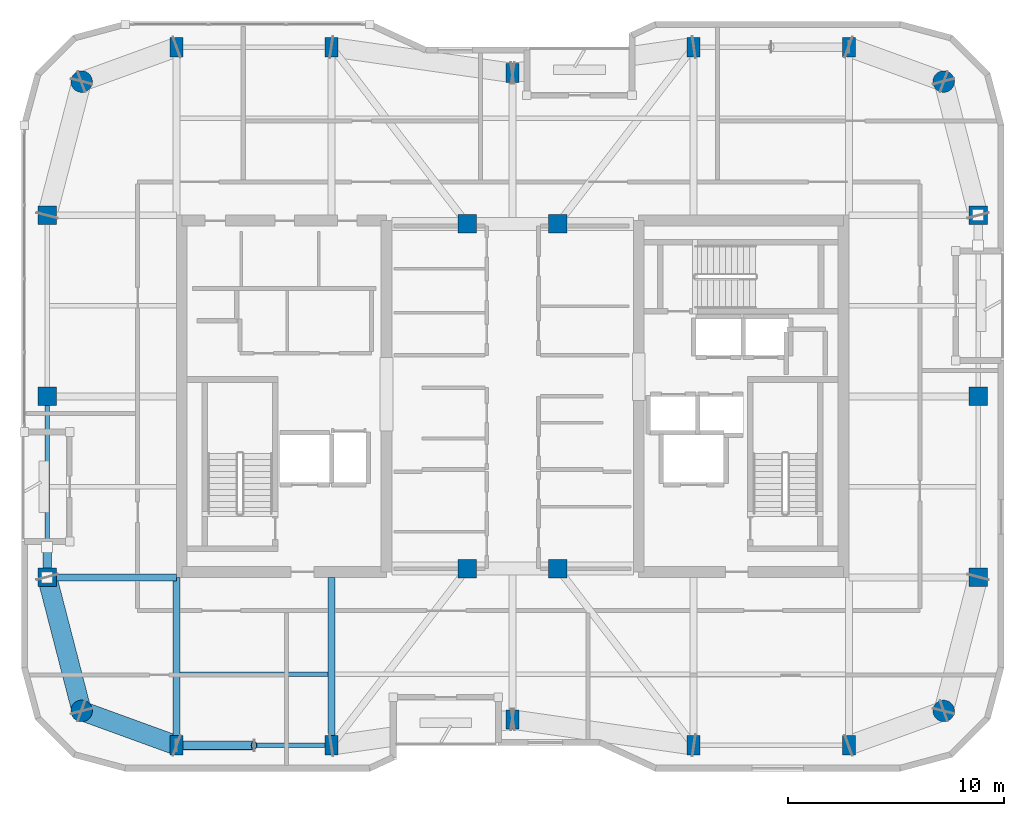
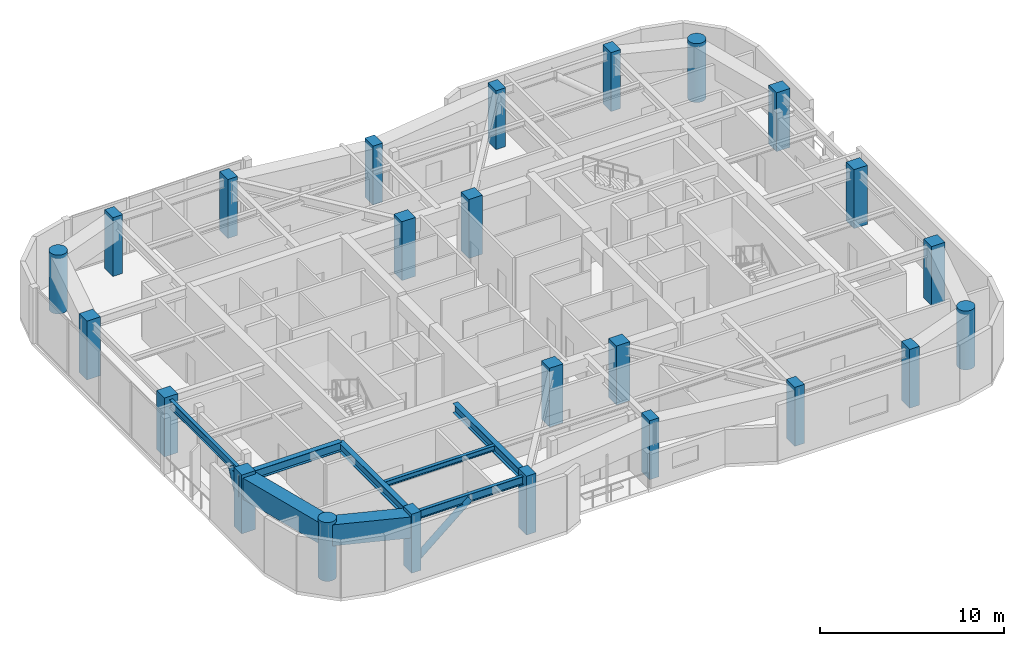
# One storey, part 1 of 16: 24 columns, 8 beams, 2 members.
"""IFC4 building model written with IfcOpenShell, lengths in metres."""

import ifcopenshell
import ifcopenshell.guid

model = None  # the IFC model being written
_history = None  # IfcOwnerHistory: only IFC2X3 demands one
_inside = {}  # id of a spatial element -> (the spatial element, [elements in it])
_under = {}  # id of a project, library or spatial element -> (it, [spatial elements below it])
_declared = {}  # id of a project -> (the project, [libraries it declares])
_typed = {}  # id of a type object -> (the type object, [elements of that type])
_made_of = {}  # id of a material, layer set ... -> (it, [elements and type objects made of it])


def new_model(schema):
    """Start an empty IFC model of exactly this schema.

    Asked for "IFC4X3", IfcOpenShell would pick the latest addendum, in which some entities
    have other attributes; the version numbers below select the first issue.
    IFC2X3 requires an IfcOwnerHistory on every rooted entity: one is made here for all.
    """
    global model, _history
    if schema == "IFC4X3":
        model = ifcopenshell.file(schema_version=(4, 3, 0, 0))
    else:
        model = ifcopenshell.file(schema=schema)
    _inside.clear()
    _under.clear()
    _declared.clear()
    _typed.clear()
    _made_of.clear()
    _history = None
    if model.schema == "IFC2X3":
        org = make("IfcOrganization", Name="unknown")
        user = make(
            "IfcPersonAndOrganization",
            ThePerson=make("IfcPerson", FamilyName="unknown"),
            TheOrganization=org,
        )
        app = make(
            "IfcApplication",
            ApplicationDeveloper=org,
            Version="unknown",
            ApplicationFullName="unknown",
            ApplicationIdentifier="unknown",
        )
        _history = make(
            "IfcOwnerHistory",
            OwningUser=user,
            OwningApplication=app,
            ChangeAction="ADDED",
            CreationDate=0,
        )
    return model


def make(cls, **values):
    """One entity of the class cls with the attributes given. An attribute that is None is left unset."""
    return model.create_entity(
        cls, **{name: value for name, value in values.items() if value is not None}
    )


def rooted(cls, **values):
    """An entity with a GlobalId (a new one), such as an element, a storey or a relation."""
    return make(cls, GlobalId=ifcopenshell.guid.new(), OwnerHistory=_history, **values)


def si_unit(unit_type, name, prefix=None):
    """IfcSIUnit, for example si_unit("LENGTHUNIT", "METRE", prefix="MILLI")."""
    return make("IfcSIUnit", UnitType=unit_type, Prefix=prefix, Name=name)


def assignment(units):
    """IfcUnitAssignment: the units of a project."""
    return None if units is None else make("IfcUnitAssignment", Units=units)


def point(xyz):
    """IfcCartesianPoint."""
    return None if xyz is None else make("IfcCartesianPoint", Coordinates=xyz)


def direction(xyz):
    """IfcDirection."""
    return None if xyz is None else make("IfcDirection", DirectionRatios=xyz)


def frame(location, z_axis=None, x_axis=None):
    """IfcAxis2Placement3D, a coordinate frame: its origin and axes. An axis left out is left unset."""
    return make(
        "IfcAxis2Placement3D",
        Location=point(location),
        Axis=direction(z_axis),
        RefDirection=direction(x_axis),
    )


def frame_2d(location, x_axis=None):
    """IfcAxis2Placement2D, a coordinate frame in the plane: its origin and x axis."""
    return make(
        "IfcAxis2Placement2D", Location=point(location), RefDirection=direction(x_axis)
    )


def origin():
    """The frame at (0, 0, 0) with its axes left unset."""
    return frame((0.0, 0.0, 0.0))


def origin_2d():
    """The frame at (0, 0) in the plane with its x axis left unset."""
    return frame_2d((0.0, 0.0))


def place(relative_to, where):
    """IfcLocalPlacement: puts the frame where relative to a parent placement (None: the world)."""
    return make(
        "IfcLocalPlacement", PlacementRelTo=relative_to, RelativePlacement=where
    )


def context(
    kind, dimensions, precision=None, world=None, true_north=None, identifier=None
):
    """IfcGeometricRepresentationContext, for example the 3D "Model" context."""
    return make(
        "IfcGeometricRepresentationContext",
        ContextIdentifier=identifier,
        ContextType=kind,
        CoordinateSpaceDimension=dimensions,
        Precision=precision,
        WorldCoordinateSystem=world,
        TrueNorth=true_north,
    )


def subcontext(parent, identifier, kind, view, scale=None):
    """IfcGeometricRepresentationSubContext, for example "Body" below "Model"."""
    return make(
        "IfcGeometricRepresentationSubContext",
        ContextIdentifier=identifier,
        ContextType=kind,
        ParentContext=parent,
        TargetScale=scale,
        TargetView=view,
    )


def project(units=None, contexts=None):
    """IfcProject with its units and contexts."""
    return rooted(
        "IfcProject",
        Name="project",
        RepresentationContexts=contexts,
        UnitsInContext=assignment(units),
    )


def spatial(cls, under=None, at=None, **own):
    """A site, building, storey or space (cls), placed at a placement, below another one or the project."""
    s = rooted(cls, ObjectPlacement=at, **own)
    if under is not None:
        _under.setdefault(under.id(), (under, []))[1].append(s)
    return s


def profile(cls, at=None, kind="AREA", **sizes):
    """A parametric profile (cls). Its sizes go by their IFC names, for example OverallWidth=200.0."""
    return make(cls, ProfileType=kind, Position=at, **sizes)


def rectangle(**sizes):
    """IfcRectangleProfileDef."""
    return profile("IfcRectangleProfileDef", **sizes)


def hollow_rectangle(**sizes):
    """IfcRectangleHollowProfileDef."""
    return profile("IfcRectangleHollowProfileDef", **sizes)


def circle(**sizes):
    """IfcCircleProfileDef."""
    return profile("IfcCircleProfileDef", **sizes)


def hollow_circle(**sizes):
    """IfcCircleHollowProfileDef."""
    return profile("IfcCircleHollowProfileDef", **sizes)


def i_section(**sizes):
    """IfcIShapeProfileDef."""
    return profile("IfcIShapeProfileDef", **sizes)


def extrude(swept, where, along, depth):
    """IfcExtrudedAreaSolid: the profile swept, set in the frame where, extruded along a direction by depth."""
    return make(
        "IfcExtrudedAreaSolid",
        SweptArea=swept,
        Position=where,
        ExtrudedDirection=direction(along),
        Depth=depth,
    )


def shape(context_of_items, identifier, shape_type, items):
    """IfcShapeRepresentation: the items that make up one representation, for example the "Body"."""
    return make(
        "IfcShapeRepresentation",
        ContextOfItems=context_of_items,
        RepresentationIdentifier=identifier,
        RepresentationType=shape_type,
        Items=items,
    )


def material(Name=None, Category=None):
    """IfcMaterial."""
    return make("IfcMaterial", Name=Name, Category=Category)


def material_profile(
    of_material, cross_section, Name=None, Category=None, Priority=None
):
    """IfcMaterialProfile: a cross section and its material."""
    return make(
        "IfcMaterialProfile",
        Name=Name,
        Material=of_material,
        Profile=cross_section,
        Priority=Priority,
        Category=Category,
    )


def profile_set(profiles, Name=None, composite=None):
    """IfcMaterialProfileSet."""
    return make(
        "IfcMaterialProfileSet",
        Name=Name,
        MaterialProfiles=profiles,
        CompositeProfile=composite,
    )


def made_of(thing, what):
    """Note that an element or type object is made of a material, layer set ...; save() writes the relation."""
    if what is not None:
        _made_of.setdefault(what.id(), (what, []))[1].append(thing)
    return thing


def type_object(cls, material=None, **own):
    """A type object (cls), such as IfcWallType, which elements share."""
    return made_of(rooted(cls, **own), material)


def element(
    cls,
    number,
    at=None,
    inside=None,
    cuts=None,
    type_object=None,
    material=None,
    context=None,
    identifier="Body",
    shape_type=None,
    held_by="IfcProductDefinitionShape",
    body=None,
    shapes=None,
    **own,
):
    """One element of the class cls, such as IfcWall. Its Tag is "e" and its number.

    at: its placement. inside: the storey or other place that contains it. cuts: it is an
    opening in that element (IfcRelVoidsElement). A single representation is given by context,
    identifier, shape_type and body (its items); several are given by shapes. held_by: the class
    of the entity that holds the representations. save() writes the other relations.
    """
    e = rooted(cls, Tag="e%d" % number, ObjectPlacement=at, **own)
    if body is not None:
        shapes = [shape(context, identifier, shape_type, body)]
    if shapes is not None:
        e.Representation = make(held_by, Representations=shapes)
    if inside is not None:
        _inside.setdefault(inside.id(), (inside, []))[1].append(e)
    if cuts is not None:
        rooted(
            "IfcRelVoidsElement", RelatingBuildingElement=cuts, RelatedOpeningElement=e
        )
    if type_object is not None:
        _typed.setdefault(type_object.id(), (type_object, []))[1].append(e)
    return made_of(e, material)


def aggregate(whole, parts):
    """IfcRelAggregates: a whole, such as a stair, and the parts it consists of."""
    return rooted("IfcRelAggregates", RelatingObject=whole, RelatedObjects=parts)


def save(model, path):
    """Write the relations noted so far, then the file.

    IfcRelAggregates (storeys below a building ...), IfcRelContainedInSpatialStructure (elements
    in a storey), IfcRelDefinesByType, IfcRelAssociatesMaterial and IfcRelDeclares: one each for
    every whole, place, type object, material and project.
    """
    for whole, parts in _under.values():
        aggregate(whole, parts)
    for where, things in _inside.values():
        rooted(
            "IfcRelContainedInSpatialStructure",
            RelatedElements=things,
            RelatingStructure=where,
        )
    for kind, things in _typed.values():
        rooted("IfcRelDefinesByType", RelatedObjects=things, RelatingType=kind)
    for what, things in _made_of.values():
        rooted("IfcRelAssociatesMaterial", RelatedObjects=things, RelatingMaterial=what)
    for by, libraries in _declared.values():
        rooted("IfcRelDeclares", RelatingContext=by, RelatedDefinitions=libraries)
    model.write(path)


model = new_model("IFC4")

# Units and contexts
model_context = context("Model", 3, precision=1e-05, world=origin(), true_north=direction((0.0, 1.0)))
body_context = subcontext(model_context, "Body", "Model", "MODEL_VIEW")
ifc_project = project(units=[si_unit("LENGTHUNIT", "METRE"), si_unit("AREAUNIT", "SQUARE_METRE"), si_unit("VOLUMEUNIT", "CUBIC_METRE"), si_unit("PLANEANGLEUNIT", "RADIAN"), si_unit("MASSUNIT", "GRAM", prefix="KILO")], contexts=[model_context])

# Site, building, storey
site_placement = place(None, origin())
site = spatial("IfcSite", under=ifc_project, at=site_placement, CompositionType="ELEMENT")
building_placement = place(site_placement, origin())
building = spatial("IfcBuilding", under=site, at=building_placement, Name="Kiyonajd Concourse Tower", CompositionType="ELEMENT")
storey_placement = place(building_placement, frame((0.0, 0.0, 325.800048828125)))
storey = spatial("IfcBuildingStorey", under=building, at=storey_placement, Name="L82", CompositionType="ELEMENT", Elevation=325.800048828125)

# Columns
ifc_material_1 = material(Name="Concrete C60/75", Category="concrete")
ifc_material_profile_1 = material_profile(ifc_material_1, rectangle(XDim=0.60009765625, YDim=0.89990234375, at=origin_2d()), Name="RC-900x600")
ifc_profile_set_1 = profile_set([ifc_material_profile_1], Name="Concrete C60/75")
column_type_1 = type_object("IfcColumnType", Name="CL-BLADE-900", PredefinedType="COLUMN", material=ifc_profile_set_1)
for number, where, z_axis, x_axis, name in (
    (1, (32.39990234375, 19.800048828125, 0.0), (0.0, 0.0, 1.0), (1.0, 0.0, 0.0), "L82 Perimeter Bundled Tube Column"),
    (2, (32.39990234375, 52.199951171875, 0.0), (0.0, 0.0, 1.0), (1.0, 0.0, 0.0), "L82 Perimeter Bundled Tube Column"),
    (3, (39.60009765625, 19.800048828125, 0.0), (0.0, 0.0, 1.0), (1.0, 0.0, 0.0), "L82 Perimeter Bundled Tube Column"),
    (4, (39.60009765625, 52.199951171875, 0.0), (0.0, 0.0, 1.0), (1.0, 0.0, 0.0), "L82 Perimeter Bundled Tube Column"),
    (5, (48.0, 21.0, 0.0), (0.0, 0.0, 1.0), (1.0, 0.0, 0.0), "L82 Perimeter Bundled Tube Column"),
    (6, (48.0, 51.0, 0.0), (0.0, 0.0, 1.0), (1.0, 0.0, 0.0), "L82 Perimeter Bundled Tube Column"),
    (7, (56.39990234375, 19.800048828125, 0.0), (0.0, 0.0, 1.0), (1.0, 0.0, 0.0), "L82 Perimeter Bundled Tube Column"),
    (8, (56.39990234375, 52.199951171875, 0.0), (0.0, 0.0, 1.0), (1.0, 0.0, 0.0), "L82 Perimeter Bundled Tube Column"),
    (9, (63.60009765625, 19.800048828125, 0.0), (0.0, 0.0, 1.0), (1.0, 0.0, 0.0), "L82 Perimeter Bundled Tube Column"),
    (10, (63.60009765625, 52.199951171875, 0.0), (0.0, 0.0, 1.0), (1.0, 0.0, 0.0), "L82 Perimeter Bundled Tube Column"),
):
    element("IfcColumn", number, at=place(storey_placement, frame(where, z_axis=z_axis, x_axis=x_axis)), inside=storey, type_object=column_type_1, Name=name, PredefinedType="COLUMN", context=body_context, shape_type="SweptSolid", body=[
        extrude(rectangle(XDim=0.60009765625, YDim=0.89990234375, at=origin_2d()), origin(), (0.0, 0.0, 1.0), 3.89990234375),
    ])
ifc_material_profile_2 = material_profile(ifc_material_1, circle(Radius=0.5, at=origin_2d()), Name="RCC-D1000")
ifc_profile_set_2 = profile_set([ifc_material_profile_2], Name="Concrete C60/75")
column_type_2 = type_object("IfcColumnType", Name="CL-RND-1000", PredefinedType="COLUMN", material=ifc_profile_set_2)
for number, where, z_axis, x_axis, name in (
    (11, (28.0, 21.39990234375, 0.0), (0.0, 0.0, 1.0), (1.0, 0.0, 0.0), "L82 Bundled Tube Corner Column South West"),
    (12, (68.0, 21.39990234375, 0.0), (0.0, 0.0, 1.0), (1.0, 0.0, 0.0), "L82 Bundled Tube Corner Column South East"),
    (13, (68.0, 50.60009765625, 0.0), (0.0, 0.0, 1.0), (1.0, 0.0, 0.0), "L82 Bundled Tube Corner Column North East"),
    (14, (28.0, 50.60009765625, 0.0), (0.0, 0.0, 1.0), (1.0, 0.0, 0.0), "L82 Bundled Tube Corner Column North West"),
):
    element("IfcColumn", number, at=place(storey_placement, frame(where, z_axis=z_axis, x_axis=x_axis)), inside=storey, type_object=column_type_2, Name=name, PredefinedType="COLUMN", context=body_context, shape_type="SweptSolid", body=[
        extrude(circle(Radius=0.5, at=origin_2d()), origin(), (0.0, 0.0, 1.0), 3.89990234375),
    ])
ifc_material_profile_3 = material_profile(ifc_material_1, rectangle(XDim=0.85009765625, YDim=0.85009765625, at=origin_2d()), Name="RC-850x850")
ifc_profile_set_3 = profile_set([ifc_material_profile_3], Name="Concrete C60/75")
column_type_3 = type_object("IfcColumnType", Name="CL-TUBE-850", PredefinedType="COLUMN", material=ifc_profile_set_3)
for number, where, z_axis, x_axis, name in (
    (15, (26.39990234375, 27.60009765625, 0.0), (0.0, 0.0, 1.0), (1.0, 0.0, 0.0), "L82 Perimeter Bundled Tube Column"),
    (16, (69.60009765625, 27.60009765625, 0.0), (0.0, 0.0, 1.0), (1.0, 0.0, 0.0), "L82 Perimeter Bundled Tube Column"),
    (17, (26.39990234375, 36.0, 0.0), (0.0, 0.0, 1.0), (1.0, 0.0, 0.0), "L82 Perimeter Bundled Tube Column"),
    (18, (69.60009765625, 36.0, 0.0), (0.0, 0.0, 1.0), (1.0, 0.0, 0.0), "L82 Perimeter Bundled Tube Column"),
    (19, (26.39990234375, 44.39990234375, 0.0), (0.0, 0.0, 1.0), (1.0, 0.0, 0.0), "L82 Perimeter Bundled Tube Column"),
    (20, (69.60009765625, 44.39990234375, 0.0), (0.0, 0.0, 1.0), (1.0, 0.0, 0.0), "L82 Perimeter Bundled Tube Column"),
    (21, (45.89990234375, 28.0, 0.0), (0.0, 0.0, 1.0), (1.0, 0.0, 0.0), "L82 Core Tie Column South West"),
    (22, (50.10009765625, 28.0, 0.0), (0.0, 0.0, 1.0), (1.0, 0.0, 0.0), "L82 Core Tie Column South East"),
    (23, (45.89990234375, 44.0, 0.0), (0.0, 0.0, 1.0), (1.0, 0.0, 0.0), "L82 Core Tie Column North West"),
    (24, (50.10009765625, 44.0, 0.0), (0.0, 0.0, 1.0), (1.0, 0.0, 0.0), "L82 Core Tie Column North East"),
):
    element("IfcColumn", number, at=place(storey_placement, frame(where, z_axis=z_axis, x_axis=x_axis)), inside=storey, type_object=column_type_3, Name=name, PredefinedType="COLUMN", context=body_context, shape_type="SweptSolid", body=[
        extrude(rectangle(XDim=0.85009765625, YDim=0.85009765625, at=origin_2d()), origin(), (0.0, 0.0, 1.0), 3.89990234375),
    ])

# Beams
ifc_material_2 = material(Name="Steel ASTM A992 Grade 50", Category="steel")
ifc_material_profile_4 = material_profile(ifc_material_2, i_section(OverallWidth=0.205078125, OverallDepth=0.35400390625, WebThickness=0.009521484375, FlangeThickness=0.016845703125, at=origin_2d()), Name="W360X79")
ifc_profile_set_4 = profile_set([ifc_material_profile_4], Name="Steel ASTM A992 Grade 50")
beam_type_1 = type_object("IfcBeamType", Name="BM-JST-360", PredefinedType="JOIST", material=ifc_profile_set_4)
beam_1_placement = place(storey_placement, frame((32.56201171875, 23.10009765625, 3.5029296875), z_axis=(1.0, 0.0, 0.0), x_axis=(0.0, 1.0, 0.0)))
element("IfcBeam", 25, at=beam_1_placement, inside=storey, type_object=beam_type_1, Name="L82 Secondary Floor Joist", PredefinedType="JOIST", context=body_context, shape_type="SweptSolid", body=[
    extrude(i_section(OverallWidth=0.205078125, OverallDepth=0.35400390625, WebThickness=0.009521484375, FlangeThickness=0.016845703125, at=origin_2d()), origin(), (0.0, 0.0, 1.0), 6.8759765625),
])
ifc_material_profile_5 = material_profile(ifc_material_2, i_section(OverallWidth=0.2109375, OverallDepth=0.5390625, WebThickness=0.01171875, FlangeThickness=0.018798828125, at=origin_2d()), Name="W530X109")
ifc_profile_set_5 = profile_set([ifc_material_profile_5], Name="Steel ASTM A992 Grade 50")
beam_type_2 = type_object("IfcBeamType", Name="BM-SPAN-530B", PredefinedType="SPANDREL", material=ifc_profile_set_5)
beam_2_placement = place(storey_placement, frame((32.39990234375, 19.800048828125, 3.410400390625), z_axis=(1.0, 0.0, 0.0), x_axis=(0.0, 1.0, 0.0)))
element("IfcBeam", 26, at=beam_2_placement, inside=storey, type_object=beam_type_2, Name="L82 Perimeter Bundled Tube Spandrel", PredefinedType="SPANDREL", context=body_context, shape_type="SweptSolid", body=[
    extrude(i_section(OverallWidth=0.2109375, OverallDepth=0.5390625, WebThickness=0.01171875, FlangeThickness=0.018798828125, at=origin_2d()), origin(), (0.0, 0.0, 1.0), 7.2001953125),
])
beam_3_placement = place(storey_placement, frame((26.39990234375, 36.0, 3.410400390625), z_axis=(0.0, -1.0, 0.0), x_axis=(1.0, 0.0, 0.0)))
element("IfcBeam", 27, at=beam_3_placement, inside=storey, type_object=beam_type_2, Name="L82 Perimeter Bundled Tube Spandrel", PredefinedType="SPANDREL", context=body_context, shape_type="SweptSolid", body=[
    extrude(i_section(OverallWidth=0.2109375, OverallDepth=0.5390625, WebThickness=0.01171875, FlangeThickness=0.018798828125, at=origin_2d()), origin(), (0.0, 0.0, 1.0), 8.39990234375),
])
ifc_material_profile_6 = material_profile(ifc_material_2, i_section(OverallWidth=0.323974609375, OverallDepth=0.611083984375, WebThickness=0.0126953125, FlangeThickness=0.01904296875, at=origin_2d()), Name="W610X155")
ifc_profile_set_6 = profile_set([ifc_material_profile_6], Name="Steel ASTM A992 Grade 50")
beam_type_3 = type_object("IfcBeamType", Name="BM-TWR-610B", PredefinedType="BEAM", material=ifc_profile_set_6)
for number, where, z_axis, x_axis, name in (
    (28, (32.39990234375, 19.800048828125, 3.37451171875), (0.0, 1.0, 0.0), (-1.0, 0.0, 0.0), "L82 South Lease Girder"),
    (29, (39.60009765625, 19.800048828125, 3.37451171875), (0.0, 1.0, 0.0), (-1.0, 0.0, 0.0), "L82 South Lease Girder"),
):
    element("IfcBeam", number, at=place(storey_placement, frame(where, z_axis=z_axis, x_axis=x_axis)), inside=storey, type_object=beam_type_3, Name=name, PredefinedType="BEAM", context=body_context, shape_type="SweptSolid", body=[
        extrude(i_section(OverallWidth=0.323974609375, OverallDepth=0.611083984375, WebThickness=0.0126953125, FlangeThickness=0.01904296875, at=origin_2d()), origin(), (0.0, 0.0, 1.0), 7.800048828125),
    ])
beam_4_placement = place(storey_placement, frame((26.39990234375, 27.60009765625, 3.37451171875), z_axis=(1.0, 0.0, 0.0), x_axis=(0.0, 1.0, 0.0)))
element("IfcBeam", 30, at=beam_4_placement, inside=storey, type_object=beam_type_3, Name="L82 West Lease Girder", PredefinedType="BEAM", context=body_context, shape_type="SweptSolid", body=[
    extrude(i_section(OverallWidth=0.323974609375, OverallDepth=0.611083984375, WebThickness=0.0126953125, FlangeThickness=0.01904296875, at=origin_2d()), origin(), (0.0, 0.0, 1.0), 6.0),
])
ifc_material_3 = material(Name="Steel ASTM A572 Grade 50", Category="steel")
ifc_material_profile_7 = material_profile(ifc_material_3, hollow_rectangle(XDim=0.89990234375, YDim=1.39990234375, WallThickness=0.070068359375, at=origin_2d()), Name="BOX-1400x900x70")
ifc_profile_set_7 = profile_set([ifc_material_profile_7], Name="Steel ASTM A572 Grade 50")
beam_type_4 = type_object("IfcBeamType", Name="BM-XFER-1400", PredefinedType="BEAM", material=ifc_profile_set_7)
beam_5_placement = place(storey_placement, frame((26.39990234375, 27.60009765625, 2.97998046875), z_axis=(0.249884937687, -0.968275538221, 0.0), x_axis=(0.968275538221, 0.249884937687, 0.0)))
element("IfcBeam", 31, at=beam_5_placement, inside=storey, type_object=beam_type_4, Name="L82 Perimeter Bundled Tube Spandrel", PredefinedType="BEAM", context=body_context, shape_type="SweptSolid", body=[
    extrude(hollow_rectangle(XDim=0.89990234375, YDim=1.39990234375, WallThickness=0.070068359375, at=origin_2d()), origin(), (0.0, 0.0, 1.0), 6.4033203125),
])
beam_6_placement = place(storey_placement, frame((28.0, 21.39990234375, 2.97998046875), z_axis=(0.939801036019, -0.341722127901, 0.0), x_axis=(0.341722127901, 0.939801036019, 0.0)))
element("IfcBeam", 32, at=beam_6_placement, inside=storey, type_object=beam_type_4, Name="L82 Perimeter Bundled Tube Spandrel", PredefinedType="BEAM", context=body_context, shape_type="SweptSolid", body=[
    extrude(hollow_rectangle(XDim=0.89990234375, YDim=1.39990234375, WallThickness=0.070068359375, at=origin_2d()), origin(), (0.0, 0.0, 1.0), 4.681640625),
])

# Members
ifc_material_4 = material(Name="Steel ASTM A500 Grade C", Category="steel")
ifc_material_profile_8 = material_profile(ifc_material_4, hollow_circle(Radius=0.202880859375, WallThickness=0.01904296875, at=origin_2d()), Name="CHS-406x19")
ifc_profile_set_8 = profile_set([ifc_material_profile_8], Name="Steel ASTM A500 Grade C")
member_type = type_object("IfcMemberType", Name="MB-PB-HIGH", PredefinedType="BRACE", material=ifc_profile_set_8)
member_1_placement = place(storey_placement, frame((32.39990234375, 19.800048828125, 0.300048828125), z_axis=(0.765107605277, 0.0, 0.643902440085), x_axis=(0.0, 1.0, 0.0)))
element("IfcMember", 33, at=member_1_placement, inside=storey, type_object=member_type, Name="L82 Upper Zone Hollow Tube Brace PBS", PredefinedType="BRACE", context=body_context, shape_type="SweptSolid", body=[
    extrude(hollow_circle(Radius=0.202880859375, WallThickness=0.01904296875, at=origin_2d()), origin(), (0.0, 0.0, 1.0), 4.705322265625),
])
member_2_placement = place(storey_placement, frame((26.39990234375, 27.60009765625, 0.300048828125), z_axis=(0.0, 0.419438517439, 0.907783746323), x_axis=(-1.0, 0.0, 0.0)))
element("IfcMember", 34, at=member_2_placement, inside=storey, type_object=member_type, Name="L82 Upper Zone Hollow Tube Brace PBW", PredefinedType="BRACE", context=body_context, shape_type="SweptSolid", body=[
    extrude(hollow_circle(Radius=0.202880859375, WallThickness=0.01904296875, at=origin_2d()), origin(), (0.0, 0.0, 1.0), 3.337646484375),
])

save(model, "model.ifc")
